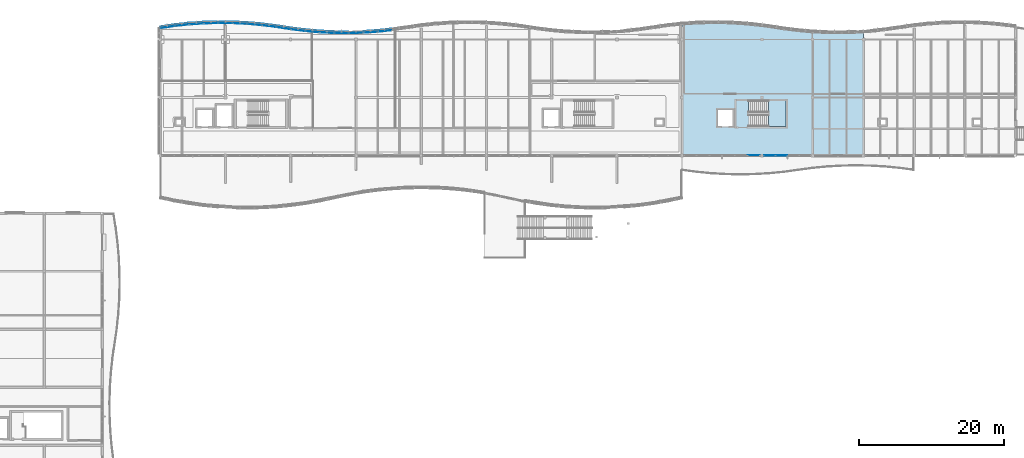
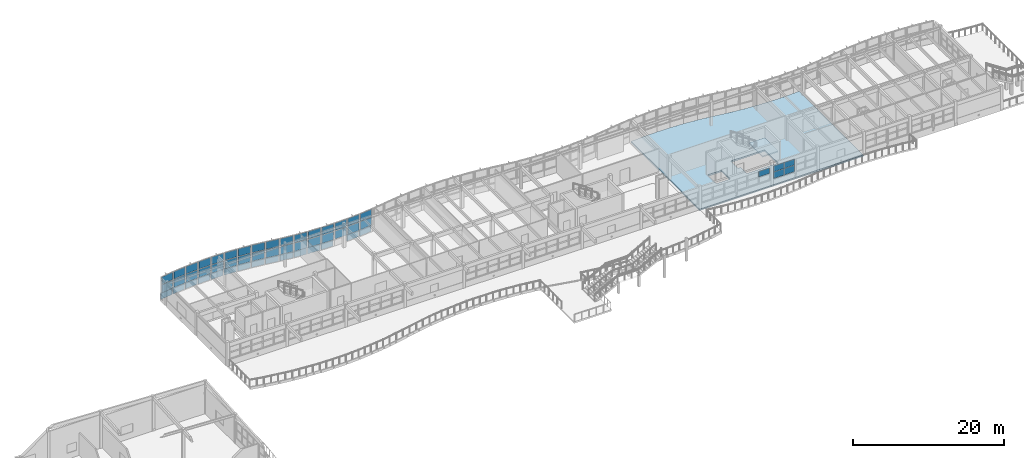
# One storey, part 24 of 52: 52 plates, 2 slabs, 19 elements without a shape of their own.
"""IFC4 building model written with IfcOpenShell, lengths in metres."""

from ifc_helpers import new_model, si_unit, direction, frame, origin, origin_2d, place, context, subcontext, project, spatial, polyline, rectangle, outline, extrude, material, layer, layer_set, type_object, element, aggregate, save


model = new_model("IFC4")

# Units and contexts
model_context = context("Model", 3, precision=1e-05, world=origin(), true_north=direction((0.0, 1.0)))
body_context = subcontext(model_context, "Body", "Model", "MODEL_VIEW")
ifc_project = project(units=[si_unit("LENGTHUNIT", "METRE"), si_unit("AREAUNIT", "SQUARE_METRE"), si_unit("VOLUMEUNIT", "CUBIC_METRE"), si_unit("PLANEANGLEUNIT", "RADIAN"), si_unit("MASSUNIT", "GRAM", prefix="KILO")], contexts=[model_context])

# Site, building, storey
site_placement = place(None, origin())
site = spatial("IfcSite", under=ifc_project, at=site_placement, CompositionType="ELEMENT")
building_placement = place(site_placement, origin())
building = spatial("IfcBuilding", under=site, at=building_placement, Name="Tonlespit Floodbar School", CompositionType="ELEMENT")
storey_placement = place(building_placement, frame((0.0, 0.0, 12.300048828125)))
storey = spatial("IfcBuildingStorey", under=building, at=storey_placement, Name="L03", CompositionType="ELEMENT", Elevation=12.300048828125)

# Curtain wall, plates
ifc_material_1 = material(Name="Anodised Aluminium", Category="aluminium")
ifc_layer_1 = layer(ifc_material_1, 0.159912109375)
ifc_layer_set_1 = layer_set([ifc_layer_1], Name="Anodised Aluminium")
curtain_wall_type_1 = type_object("IfcCurtainWallType", Name="CurtainWall_1950x2700", PredefinedType="NOTDEFINED", material=ifc_layer_set_1)
curtain_wall_1_placement = place(storey_placement, origin())
curtain_wall_1 = element("IfcCurtainWall", 1, at=curtain_wall_1_placement, inside=storey, type_object=curtain_wall_type_1, Name="L03 unitised curtain wall 0125", PredefinedType="NOTDEFINED")
ifc_material_2 = material(Name="Laminated Low-E Glass", Category="glass")
ifc_layer_2 = layer(ifc_material_2, 0.028076171875)
ifc_layer_set_2 = layer_set([ifc_layer_2], Name="Laminated Low-E Glass")
plate_type_1 = type_object("IfcPlateType", Name="CW_Panel_Glaz_28", PredefinedType="CURTAIN_PANEL", material=ifc_layer_set_2)
plate_1_placement = place(storey_placement, frame((47.0, 121.947998046875, 1.01513671875), z_axis=(0.0, 0.0, 1.0), x_axis=(0.994388797288, 0.105787143968, 0.0)))
plate_1 = element("IfcPlate", 2, at=plate_1_placement, type_object=plate_type_1, Name="CW-04 panel 1.1", PredefinedType="CURTAIN_PANEL", context=body_context, shape_type="SweptSolid", body=[
    extrude(rectangle(XDim=1.80126953125, YDim=0.028076171875, at=origin_2d()), origin(), (0.0, 0.0, 1.0), 1.306396484375),
])
plate_2_placement = place(storey_placement, frame((47.0, 121.947998046875, 2.38623046875), z_axis=(0.0, 0.0, 1.0), x_axis=(0.994388797288, 0.105787143968, 0.0)))
plate_2 = element("IfcPlate", 3, at=plate_2_placement, type_object=plate_type_1, Name="CW-04 panel 1.2", PredefinedType="CURTAIN_PANEL", context=body_context, shape_type="SweptSolid", body=[
    extrude(rectangle(XDim=1.80126953125, YDim=0.028076171875, at=origin_2d()), origin(), (0.0, 0.0, 1.0), 1.198486328125),
])
aggregate(curtain_wall_1, [plate_1, plate_2])

ifc_layer_3 = layer(ifc_material_1, 0.159912109375)
ifc_layer_set_3 = layer_set([ifc_layer_3], Name="Anodised Aluminium")
curtain_wall_type_2 = type_object("IfcCurtainWallType", Name="CurtainWall_1900x2700", PredefinedType="NOTDEFINED", material=ifc_layer_set_3)
curtain_wall_2_placement = place(storey_placement, origin())
curtain_wall_2 = element("IfcCurtainWall", 4, at=curtain_wall_2_placement, inside=storey, type_object=curtain_wall_type_2, Name="L03 unitised curtain wall 0129", PredefinedType="NOTDEFINED")
plate_3_placement = place(storey_placement, frame((55.0, 122.1796875, 1.01513671875), z_axis=(0.0, 0.0, 1.0), x_axis=(0.998841500616, -0.048121270216, 0.0)))
plate_3 = element("IfcPlate", 5, at=plate_3_placement, type_object=plate_type_1, Name="CW-05 panel 1.1", PredefinedType="CURTAIN_PANEL", context=body_context, shape_type="SweptSolid", body=[
    extrude(rectangle(XDim=1.792236328125, YDim=0.028076171875, at=origin_2d()), origin(), (0.0, 0.0, 1.0), 1.306396484375),
])
plate_4_placement = place(storey_placement, frame((55.0, 122.1796875, 2.38623046875), z_axis=(0.0, 0.0, 1.0), x_axis=(0.998841500616, -0.048121270216, 0.0)))
plate_4 = element("IfcPlate", 6, at=plate_4_placement, type_object=plate_type_1, Name="CW-05 panel 1.2", PredefinedType="CURTAIN_PANEL", context=body_context, shape_type="SweptSolid", body=[
    extrude(rectangle(XDim=1.792236328125, YDim=0.028076171875, at=origin_2d()), origin(), (0.0, 0.0, 1.0), 1.198486328125),
])
aggregate(curtain_wall_2, [plate_3, plate_4])

curtain_wall_3_placement = place(storey_placement, origin())
curtain_wall_3 = element("IfcCurtainWall", 7, at=curtain_wall_3_placement, inside=storey, type_object=curtain_wall_type_1, Name="L03 unitised curtain wall 0133", PredefinedType="NOTDEFINED")
plate_5_placement = place(storey_placement, frame((63.0, 121.268310546875, 1.01513671875), z_axis=(0.0, 0.0, 1.0), x_axis=(0.992155002499, -0.125013803299, 0.0)))
plate_5 = element("IfcPlate", 8, at=plate_5_placement, type_object=plate_type_1, Name="CW-04 panel 1.1", PredefinedType="CURTAIN_PANEL", context=body_context, shape_type="SweptSolid", body=[
    extrude(rectangle(XDim=1.805908203125, YDim=0.028076171875, at=origin_2d()), origin(), (0.0, 0.0, 1.0), 1.306396484375),
])
plate_6_placement = place(storey_placement, frame((63.0, 121.268310546875, 2.38623046875), z_axis=(0.0, 0.0, 1.0), x_axis=(0.992155002499, -0.125013803299, 0.0)))
plate_6 = element("IfcPlate", 9, at=plate_6_placement, type_object=plate_type_1, Name="CW-04 panel 1.2", PredefinedType="CURTAIN_PANEL", context=body_context, shape_type="SweptSolid", body=[
    extrude(rectangle(XDim=1.805908203125, YDim=0.028076171875, at=origin_2d()), origin(), (0.0, 0.0, 1.0), 1.198486328125),
])
aggregate(curtain_wall_3, [plate_5, plate_6])

curtain_wall_4_placement = place(storey_placement, origin())
curtain_wall_4 = element("IfcCurtainWall", 10, at=curtain_wall_4_placement, inside=storey, type_object=curtain_wall_type_2, Name="L03 unitised curtain wall 0137", PredefinedType="NOTDEFINED")
plate_7_placement = place(storey_placement, frame((71.0, 120.8818359375, 1.01513671875), z_axis=(0.0, 0.0, 1.0), x_axis=(0.999585477883, 0.028790144226, 0.0)))
plate_7 = element("IfcPlate", 11, at=plate_7_placement, type_object=plate_type_1, Name="CW-05 panel 1.1", PredefinedType="CURTAIN_PANEL", context=body_context, shape_type="SweptSolid", body=[
    extrude(rectangle(XDim=1.790771484375, YDim=0.028076171875, at=origin_2d()), origin(), (0.0, 0.0, 1.0), 1.306396484375),
])
plate_8_placement = place(storey_placement, frame((71.0, 120.8818359375, 2.38623046875), z_axis=(0.0, 0.0, 1.0), x_axis=(0.999585477883, 0.028790144226, 0.0)))
plate_8 = element("IfcPlate", 12, at=plate_8_placement, type_object=plate_type_1, Name="CW-05 panel 1.2", PredefinedType="CURTAIN_PANEL", context=body_context, shape_type="SweptSolid", body=[
    extrude(rectangle(XDim=1.790771484375, YDim=0.028076171875, at=origin_2d()), origin(), (0.0, 0.0, 1.0), 1.198486328125),
])
aggregate(curtain_wall_4, [plate_7, plate_8])

# Curtain wall, plate
ifc_layer_4 = layer(ifc_material_1, 0.159912109375)
ifc_layer_set_4 = layer_set([ifc_layer_4], Name="Anodised Aluminium")
curtain_wall_type_3 = type_object("IfcCurtainWallType", Name="CurtainWall_10500x2050", PredefinedType="NOTDEFINED", material=ifc_layer_set_4)
curtain_wall_5_placement = place(storey_placement, origin())
curtain_wall_5 = element("IfcCurtainWall", 13, at=curtain_wall_5_placement, inside=storey, type_object=curtain_wall_type_3, Name="L03 unitised curtain wall 0473", PredefinedType="NOTDEFINED")
plate_9_placement = place(storey_placement, frame((125.8671875, 104.0, 2.05126953125), z_axis=(0.0, 0.0, 1.0), x_axis=(-1.0, 0.0, 0.0)))
plate_9 = element("IfcPlate", 14, at=plate_9_placement, type_object=plate_type_1, Name="CW-68 panel 1.2", PredefinedType="CURTAIN_PANEL", context=body_context, shape_type="SweptSolid", body=[
    extrude(rectangle(XDim=1.65576171875, YDim=0.028076171875, at=origin_2d()), origin(), (0.0, 0.0, 1.0), 0.888916015625),
])
aggregate(curtain_wall_5, [plate_9])

# Curtain wall, plates
curtain_wall_6_placement = place(storey_placement, origin())
curtain_wall_6 = element("IfcCurtainWall", 15, at=curtain_wall_6_placement, inside=storey, type_object=curtain_wall_type_2, Name="L03 unitised curtain wall 0126", PredefinedType="NOTDEFINED")
ifc_layer_5 = layer(ifc_material_2, 0.031982421875)
ifc_layer_set_5 = layer_set([ifc_layer_5], Name="Laminated Low-E Glass")
plate_type_2 = type_object("IfcPlateType", Name="CW_Panel_Glaz_32", PredefinedType="CURTAIN_PANEL", material=ifc_layer_set_5)
plate_10_placement = place(storey_placement, frame((49.0, 122.121826171875, 1.01513671875), z_axis=(0.0, 0.0, 1.0), x_axis=(0.99773010165, 0.067339767311, 0.0)))
plate_10 = element("IfcPlate", 16, at=plate_10_placement, type_object=plate_type_2, Name="CW-05 panel 1.1", PredefinedType="CURTAIN_PANEL", context=body_context, shape_type="SweptSolid", body=[
    extrude(rectangle(XDim=1.794677734375, YDim=0.031982421875, at=origin_2d()), origin(), (0.0, 0.0, 1.0), 1.306396484375),
])
plate_11_placement = place(storey_placement, frame((49.0, 122.121826171875, 2.38623046875), z_axis=(0.0, 0.0, 1.0), x_axis=(0.99773010165, 0.067339767311, 0.0)))
plate_11 = element("IfcPlate", 17, at=plate_11_placement, type_object=plate_type_2, Name="CW-05 panel 1.2", PredefinedType="CURTAIN_PANEL", context=body_context, shape_type="SweptSolid", body=[
    extrude(rectangle(XDim=1.794677734375, YDim=0.031982421875, at=origin_2d()), origin(), (0.0, 0.0, 1.0), 1.198486328125),
])
aggregate(curtain_wall_6, [plate_10, plate_11])

curtain_wall_7_placement = place(storey_placement, origin())
curtain_wall_7 = element("IfcCurtainWall", 18, at=curtain_wall_7_placement, inside=storey, type_object=curtain_wall_type_1, Name="L03 unitised curtain wall 0130", PredefinedType="NOTDEFINED")
plate_12_placement = place(storey_placement, frame((57.0, 122.044677734375, 1.01513671875), z_axis=(0.0, 0.0, 1.0), x_axis=(0.996249148412, -0.086531117454, 0.0)))
plate_12 = element("IfcPlate", 19, at=plate_12_placement, type_object=plate_type_2, Name="CW-04 panel 1.1", PredefinedType="CURTAIN_PANEL", context=body_context, shape_type="SweptSolid", body=[
    extrude(rectangle(XDim=1.797607421875, YDim=0.031982421875, at=origin_2d()), origin(), (0.0, 0.0, 1.0), 1.306396484375),
])
plate_13_placement = place(storey_placement, frame((57.0, 122.044677734375, 2.38623046875), z_axis=(0.0, 0.0, 1.0), x_axis=(0.996249148412, -0.086531117454, 0.0)))
plate_13 = element("IfcPlate", 20, at=plate_13_placement, type_object=plate_type_2, Name="CW-04 panel 1.2", PredefinedType="CURTAIN_PANEL", context=body_context, shape_type="SweptSolid", body=[
    extrude(rectangle(XDim=1.797607421875, YDim=0.031982421875, at=origin_2d()), origin(), (0.0, 0.0, 1.0), 1.198486328125),
])
aggregate(curtain_wall_7, [plate_12, plate_13])

curtain_wall_8_placement = place(storey_placement, origin())
curtain_wall_8 = element("IfcCurtainWall", 21, at=curtain_wall_8_placement, inside=storey, type_object=curtain_wall_type_1, Name="L03 unitised curtain wall 0134", PredefinedType="NOTDEFINED")
plate_14_placement = place(storey_placement, frame((65.0, 121.055419921875, 1.01513671875), z_axis=(0.0, 0.0, 1.0), x_axis=(0.996249148412, -0.086531117454, 0.0)))
plate_14 = element("IfcPlate", 22, at=plate_14_placement, type_object=plate_type_2, Name="CW-04 panel 1.1", PredefinedType="CURTAIN_PANEL", context=body_context, shape_type="SweptSolid", body=[
    extrude(rectangle(XDim=1.797607421875, YDim=0.031982421875, at=origin_2d()), origin(), (0.0, 0.0, 1.0), 1.306396484375),
])
plate_15_placement = place(storey_placement, frame((65.0, 121.055419921875, 2.38623046875), z_axis=(0.0, 0.0, 1.0), x_axis=(0.996249148412, -0.086531117454, 0.0)))
plate_15 = element("IfcPlate", 23, at=plate_15_placement, type_object=plate_type_2, Name="CW-04 panel 1.2", PredefinedType="CURTAIN_PANEL", context=body_context, shape_type="SweptSolid", body=[
    extrude(rectangle(XDim=1.797607421875, YDim=0.031982421875, at=origin_2d()), origin(), (0.0, 0.0, 1.0), 1.198486328125),
])
aggregate(curtain_wall_8, [plate_14, plate_15])

curtain_wall_9_placement = place(storey_placement, origin())
curtain_wall_9 = element("IfcCurtainWall", 24, at=curtain_wall_9_placement, inside=storey, type_object=curtain_wall_type_2, Name="L03 unitised curtain wall 0138", PredefinedType="NOTDEFINED")
plate_16_placement = place(storey_placement, frame((73.0, 120.978271484375, 1.01513671875), z_axis=(0.0, 0.0, 1.0), x_axis=(0.99773010165, 0.067339767311, 0.0)))
plate_16 = element("IfcPlate", 25, at=plate_16_placement, type_object=plate_type_2, Name="CW-05 panel 1.1", PredefinedType="CURTAIN_PANEL", context=body_context, shape_type="SweptSolid", body=[
    extrude(rectangle(XDim=1.794677734375, YDim=0.031982421875, at=origin_2d()), origin(), (0.0, 0.0, 1.0), 1.306396484375),
])
plate_17_placement = place(storey_placement, frame((73.0, 120.978271484375, 2.38623046875), z_axis=(0.0, 0.0, 1.0), x_axis=(0.99773010165, 0.067339767311, 0.0)))
plate_17 = element("IfcPlate", 26, at=plate_17_placement, type_object=plate_type_2, Name="CW-05 panel 1.2", PredefinedType="CURTAIN_PANEL", context=body_context, shape_type="SweptSolid", body=[
    extrude(rectangle(XDim=1.794677734375, YDim=0.031982421875, at=origin_2d()), origin(), (0.0, 0.0, 1.0), 1.198486328125),
])
aggregate(curtain_wall_9, [plate_16, plate_17])

curtain_wall_10_placement = place(storey_placement, origin())
curtain_wall_10 = element("IfcCurtainWall", 27, at=curtain_wall_10_placement, inside=storey, type_object=curtain_wall_type_2, Name="L03 unitised curtain wall 0127", PredefinedType="NOTDEFINED")
ifc_layer_6 = layer(ifc_material_2, 0.035888671875)
ifc_layer_set_6 = layer_set([ifc_layer_6], Name="Laminated Low-E Glass")
plate_type_3 = type_object("IfcPlateType", Name="CW_Panel_Glaz_36", PredefinedType="CURTAIN_PANEL", material=ifc_layer_set_6)
plate_18_placement = place(storey_placement, frame((51.0, 122.21826171875, 1.01513671875), z_axis=(0.0, 0.0, 1.0), x_axis=(0.999585477883, 0.028790144226, 0.0)))
plate_18 = element("IfcPlate", 28, at=plate_18_placement, type_object=plate_type_3, Name="CW-05 panel 1.1", PredefinedType="CURTAIN_PANEL", context=body_context, shape_type="SweptSolid", body=[
    extrude(rectangle(XDim=1.790771484375, YDim=0.035888671875, at=origin_2d()), origin(), (0.0, 0.0, 1.0), 1.306396484375),
])
plate_19_placement = place(storey_placement, frame((51.0, 122.21826171875, 2.38623046875), z_axis=(0.0, 0.0, 1.0), x_axis=(0.999585477883, 0.028790144226, 0.0)))
plate_19 = element("IfcPlate", 29, at=plate_19_placement, type_object=plate_type_3, Name="CW-05 panel 1.2", PredefinedType="CURTAIN_PANEL", context=body_context, shape_type="SweptSolid", body=[
    extrude(rectangle(XDim=1.790771484375, YDim=0.035888671875, at=origin_2d()), origin(), (0.0, 0.0, 1.0), 1.198486328125),
])
aggregate(curtain_wall_10, [plate_18, plate_19])

curtain_wall_11_placement = place(storey_placement, origin())
curtain_wall_11 = element("IfcCurtainWall", 30, at=curtain_wall_11_placement, inside=storey, type_object=curtain_wall_type_1, Name="L03 unitised curtain wall 0131", PredefinedType="NOTDEFINED")
plate_20_placement = place(storey_placement, frame((59.0, 121.831787109375, 1.01513671875), z_axis=(0.0, 0.0, 1.0), x_axis=(0.992155002499, -0.125013803299, 0.0)))
plate_20 = element("IfcPlate", 31, at=plate_20_placement, type_object=plate_type_3, Name="CW-04 panel 1.1", PredefinedType="CURTAIN_PANEL", context=body_context, shape_type="SweptSolid", body=[
    extrude(rectangle(XDim=1.805908203125, YDim=0.035888671875, at=origin_2d()), origin(), (0.0, 0.0, 1.0), 1.306396484375),
])
plate_21_placement = place(storey_placement, frame((59.0, 121.831787109375, 2.38623046875), z_axis=(0.0, 0.0, 1.0), x_axis=(0.992155002499, -0.125013803299, 0.0)))
plate_21 = element("IfcPlate", 32, at=plate_21_placement, type_object=plate_type_3, Name="CW-04 panel 1.2", PredefinedType="CURTAIN_PANEL", context=body_context, shape_type="SweptSolid", body=[
    extrude(rectangle(XDim=1.805908203125, YDim=0.035888671875, at=origin_2d()), origin(), (0.0, 0.0, 1.0), 1.198486328125),
])
aggregate(curtain_wall_11, [plate_20, plate_21])

curtain_wall_12_placement = place(storey_placement, origin())
curtain_wall_12 = element("IfcCurtainWall", 33, at=curtain_wall_12_placement, inside=storey, type_object=curtain_wall_type_2, Name="L03 unitised curtain wall 0135", PredefinedType="NOTDEFINED")
plate_22_placement = place(storey_placement, frame((67.0, 120.92041015625, 1.01513671875), z_axis=(0.0, 0.0, 1.0), x_axis=(0.998841500616, -0.048121270216, 0.0)))
plate_22 = element("IfcPlate", 34, at=plate_22_placement, type_object=plate_type_3, Name="CW-05 panel 1.1", PredefinedType="CURTAIN_PANEL", context=body_context, shape_type="SweptSolid", body=[
    extrude(rectangle(XDim=1.792236328125, YDim=0.035888671875, at=origin_2d()), origin(), (0.0, 0.0, 1.0), 1.306396484375),
])
plate_23_placement = place(storey_placement, frame((67.0, 120.92041015625, 2.38623046875), z_axis=(0.0, 0.0, 1.0), x_axis=(0.998841500616, -0.048121270216, 0.0)))
plate_23 = element("IfcPlate", 35, at=plate_23_placement, type_object=plate_type_3, Name="CW-05 panel 1.2", PredefinedType="CURTAIN_PANEL", context=body_context, shape_type="SweptSolid", body=[
    extrude(rectangle(XDim=1.792236328125, YDim=0.035888671875, at=origin_2d()), origin(), (0.0, 0.0, 1.0), 1.198486328125),
])
aggregate(curtain_wall_12, [plate_22, plate_23])

curtain_wall_13_placement = place(storey_placement, origin())
curtain_wall_13 = element("IfcCurtainWall", 36, at=curtain_wall_13_placement, inside=storey, type_object=curtain_wall_type_1, Name="L03 unitised curtain wall 0139", PredefinedType="NOTDEFINED")
plate_24_placement = place(storey_placement, frame((75.0, 121.152099609375, 1.01513671875), z_axis=(0.0, 0.0, 1.0), x_axis=(0.994388797288, 0.105787143968, 0.0)))
plate_24 = element("IfcPlate", 37, at=plate_24_placement, type_object=plate_type_3, Name="CW-04 panel 1.1", PredefinedType="CURTAIN_PANEL", context=body_context, shape_type="SweptSolid", body=[
    extrude(rectangle(XDim=1.80126953125, YDim=0.035888671875, at=origin_2d()), origin(), (0.0, 0.0, 1.0), 1.306396484375),
])
plate_25_placement = place(storey_placement, frame((75.0, 121.152099609375, 2.38623046875), z_axis=(0.0, 0.0, 1.0), x_axis=(0.994388797288, 0.105787143968, 0.0)))
plate_25 = element("IfcPlate", 38, at=plate_25_placement, type_object=plate_type_3, Name="CW-04 panel 1.2", PredefinedType="CURTAIN_PANEL", context=body_context, shape_type="SweptSolid", body=[
    extrude(rectangle(XDim=1.80126953125, YDim=0.035888671875, at=origin_2d()), origin(), (0.0, 0.0, 1.0), 1.198486328125),
])
aggregate(curtain_wall_13, [plate_24, plate_25])

curtain_wall_14_placement = place(storey_placement, origin())
curtain_wall_14 = element("IfcCurtainWall", 39, at=curtain_wall_14_placement, inside=storey, type_object=curtain_wall_type_1, Name="L03 unitised curtain wall 0124", PredefinedType="NOTDEFINED")
ifc_layer_7 = layer(ifc_material_2, 0.0419921875)
ifc_layer_set_7 = layer_set([ifc_layer_7], Name="Laminated Low-E Glass")
plate_type_4 = type_object("IfcPlateType", Name="CW_Panel_Glaz_42", PredefinedType="CURTAIN_PANEL", material=ifc_layer_set_7)
plate_26_placement = place(storey_placement, frame((45.0, 121.69580078125, 1.01513671875), z_axis=(0.0, 0.0, 1.0), x_axis=(0.989541561858, 0.144248041079, 0.0)))
plate_26 = element("IfcPlate", 40, at=plate_26_placement, type_object=plate_type_4, Name="CW-04 panel 1.1", PredefinedType="CURTAIN_PANEL", context=body_context, shape_type="SweptSolid", body=[
    extrude(rectangle(XDim=1.81103515625, YDim=0.0419921875, at=origin_2d()), origin(), (0.0, 0.0, 1.0), 1.306396484375),
])
plate_27_placement = place(storey_placement, frame((45.0, 121.69580078125, 2.38623046875), z_axis=(0.0, 0.0, 1.0), x_axis=(0.989541561858, 0.144248041079, 0.0)))
plate_27 = element("IfcPlate", 41, at=plate_27_placement, type_object=plate_type_4, Name="CW-04 panel 1.2", PredefinedType="CURTAIN_PANEL", context=body_context, shape_type="SweptSolid", body=[
    extrude(rectangle(XDim=1.81103515625, YDim=0.0419921875, at=origin_2d()), origin(), (0.0, 0.0, 1.0), 1.198486328125),
])
aggregate(curtain_wall_14, [plate_26, plate_27])

curtain_wall_15_placement = place(storey_placement, origin())
curtain_wall_15 = element("IfcCurtainWall", 42, at=curtain_wall_15_placement, inside=storey, type_object=curtain_wall_type_2, Name="L03 unitised curtain wall 0128", PredefinedType="NOTDEFINED")
plate_28_placement = place(storey_placement, frame((53.0, 122.2373046875, 1.01513671875), z_axis=(0.0, 0.0, 1.0), x_axis=(0.999954083024, -0.009582893292, 0.0)))
plate_28 = element("IfcPlate", 43, at=plate_28_placement, type_object=plate_type_4, Name="CW-05 panel 1.1", PredefinedType="CURTAIN_PANEL", context=body_context, shape_type="SweptSolid", body=[
    extrude(rectangle(XDim=1.7900390625, YDim=0.0419921875, at=origin_2d()), origin(), (0.0, 0.0, 1.0), 1.306396484375),
])
plate_29_placement = place(storey_placement, frame((53.0, 122.2373046875, 2.38623046875), z_axis=(0.0, 0.0, 1.0), x_axis=(0.999954083024, -0.009582893292, 0.0)))
plate_29 = element("IfcPlate", 44, at=plate_29_placement, type_object=plate_type_4, Name="CW-05 panel 1.2", PredefinedType="CURTAIN_PANEL", context=body_context, shape_type="SweptSolid", body=[
    extrude(rectangle(XDim=1.7900390625, YDim=0.0419921875, at=origin_2d()), origin(), (0.0, 0.0, 1.0), 1.198486328125),
])
aggregate(curtain_wall_15, [plate_28, plate_29])

curtain_wall_16_placement = place(storey_placement, origin())
curtain_wall_16 = element("IfcCurtainWall", 45, at=curtain_wall_16_placement, inside=storey, type_object=curtain_wall_type_1, Name="L03 unitised curtain wall 0132", PredefinedType="NOTDEFINED")
plate_30_placement = place(storey_placement, frame((61.0, 121.550048828125, 1.01513671875), z_axis=(0.0, 0.0, 1.0), x_axis=(0.988102576465, -0.153796288585, 0.0)))
plate_30 = element("IfcPlate", 46, at=plate_30_placement, type_object=plate_type_4, Name="CW-04 panel 1.1", PredefinedType="CURTAIN_PANEL", context=body_context, shape_type="SweptSolid", body=[
    extrude(rectangle(XDim=1.814208984375, YDim=0.0419921875, at=origin_2d()), origin(), (0.0, 0.0, 1.0), 1.306396484375),
])
plate_31_placement = place(storey_placement, frame((61.0, 121.550048828125, 2.38623046875), z_axis=(0.0, 0.0, 1.0), x_axis=(0.988102576465, -0.153796288585, 0.0)))
plate_31 = element("IfcPlate", 47, at=plate_31_placement, type_object=plate_type_4, Name="CW-04 panel 1.2", PredefinedType="CURTAIN_PANEL", context=body_context, shape_type="SweptSolid", body=[
    extrude(rectangle(XDim=1.814208984375, YDim=0.0419921875, at=origin_2d()), origin(), (0.0, 0.0, 1.0), 1.198486328125),
])
aggregate(curtain_wall_16, [plate_30, plate_31])

curtain_wall_17_placement = place(storey_placement, origin())
curtain_wall_17 = element("IfcCurtainWall", 48, at=curtain_wall_17_placement, inside=storey, type_object=curtain_wall_type_2, Name="L03 unitised curtain wall 0136", PredefinedType="NOTDEFINED")
plate_32_placement = place(storey_placement, frame((69.0, 120.862548828125, 1.01513671875), z_axis=(0.0, 0.0, 1.0), x_axis=(0.999954083024, -0.009582893292, 0.0)))
plate_32 = element("IfcPlate", 49, at=plate_32_placement, type_object=plate_type_4, Name="CW-05 panel 1.1", PredefinedType="CURTAIN_PANEL", context=body_context, shape_type="SweptSolid", body=[
    extrude(rectangle(XDim=1.7900390625, YDim=0.0419921875, at=origin_2d()), origin(), (0.0, 0.0, 1.0), 1.306396484375),
])
plate_33_placement = place(storey_placement, frame((69.0, 120.862548828125, 2.38623046875), z_axis=(0.0, 0.0, 1.0), x_axis=(0.999954083024, -0.009582893292, 0.0)))
plate_33 = element("IfcPlate", 50, at=plate_33_placement, type_object=plate_type_4, Name="CW-05 panel 1.2", PredefinedType="CURTAIN_PANEL", context=body_context, shape_type="SweptSolid", body=[
    extrude(rectangle(XDim=1.7900390625, YDim=0.0419921875, at=origin_2d()), origin(), (0.0, 0.0, 1.0), 1.198486328125),
])
aggregate(curtain_wall_17, [plate_32, plate_33])

ifc_layer_8 = layer(ifc_material_1, 0.159912109375)
ifc_layer_set_8 = layer_set([ifc_layer_8], Name="Anodised Aluminium")
curtain_wall_type_4 = type_object("IfcCurtainWallType", Name="CurtainWall_6500x2150", PredefinedType="NOTDEFINED", material=ifc_layer_set_8)
curtain_wall_18_placement = place(storey_placement, origin())
curtain_wall_18 = element("IfcCurtainWall", 51, at=curtain_wall_18_placement, inside=storey, type_object=curtain_wall_type_4, Name="L03 unitised curtain wall 0472", PredefinedType="NOTDEFINED")
plate_34_placement = place(storey_placement, frame((129.68505859375, 104.0, 1.014892578125), z_axis=(0.0, 0.0, 1.0), x_axis=(-1.0, 0.0, 0.0)))
plate_34 = element("IfcPlate", 52, at=plate_34_placement, type_object=plate_type_4, Name="CW-67 panel 3.1", PredefinedType="CURTAIN_PANEL", context=body_context, shape_type="SweptSolid", body=[
    extrude(rectangle(XDim=1.56494140625, YDim=0.0419921875, at=origin_2d()), origin(), (0.0, 0.0, 1.0), 1.0126953125),
])
plate_35_placement = place(storey_placement, frame((129.68505859375, 104.0, 2.0927734375), z_axis=(0.0, 0.0, 1.0), x_axis=(-1.0, 0.0, 0.0)))
plate_35 = element("IfcPlate", 53, at=plate_35_placement, type_object=plate_type_4, Name="CW-67 panel 3.2", PredefinedType="CURTAIN_PANEL", context=body_context, shape_type="SweptSolid", body=[
    extrude(rectangle(XDim=1.56494140625, YDim=0.0419921875, at=origin_2d()), origin(), (0.0, 0.0, 1.0), 0.92724609375),
])
plate_36_placement = place(storey_placement, frame((128.0712890625, 104.0, 1.014892578125), z_axis=(0.0, 0.0, 1.0), x_axis=(-1.0, 0.0, 0.0)))
plate_36 = element("IfcPlate", 54, at=plate_36_placement, type_object=plate_type_4, Name="CW-67 panel 4.1", PredefinedType="CURTAIN_PANEL", context=body_context, shape_type="SweptSolid", body=[
    extrude(rectangle(XDim=1.532470703125, YDim=0.0419921875, at=origin_2d()), origin(), (0.0, 0.0, 1.0), 1.0126953125),
])
plate_37_placement = place(storey_placement, frame((128.0712890625, 104.0, 2.0927734375), z_axis=(0.0, 0.0, 1.0), x_axis=(-1.0, 0.0, 0.0)))
plate_37 = element("IfcPlate", 55, at=plate_37_placement, type_object=plate_type_4, Name="CW-67 panel 4.2", PredefinedType="CURTAIN_PANEL", context=body_context, shape_type="SweptSolid", body=[
    extrude(rectangle(XDim=1.532470703125, YDim=0.0419921875, at=origin_2d()), origin(), (0.0, 0.0, 1.0), 0.92724609375),
])
aggregate(curtain_wall_18, [plate_34, plate_35, plate_36, plate_37])

# Plates
ifc_material_3 = material(Name="White Architectural Aluminium", Category="aluminium")
ifc_layer_9 = layer(ifc_material_3, 0.06494140625)
ifc_layer_set_9 = layer_set([ifc_layer_9], Name="White Architectural Aluminium")
plate_type_5 = type_object("IfcPlateType", Name="FacadeRibbon_White_65", PredefinedType="SHEET", material=ifc_layer_set_9)
plate_38_placement = place(storey_placement, frame((44.9736328125, 121.8759765625, -0.1201171875), z_axis=(0.0, 0.0, 1.0), x_axis=(0.989537627347, 0.144275029245, 0.0)))
element("IfcPlate", 56, at=plate_38_placement, inside=storey, type_object=plate_type_5, Name="L03 flowing white street spandrel ribbon 0214", PredefinedType="SHEET", context=body_context, shape_type="SweptSolid", body=[
    extrude(rectangle(XDim=1.861083984375, YDim=0.06494140625, at=origin_2d()), origin(), (0.0, 0.0, 1.0), 1.070068359375),
])
plate_39_placement = place(storey_placement, frame((46.980712890625, 122.12890625, -0.1201171875), z_axis=(0.0, 0.0, 1.0), x_axis=(0.99439234017, 0.105753835922, 0.0)))
element("IfcPlate", 57, at=plate_39_placement, inside=storey, type_object=plate_type_5, Name="L03 flowing white street spandrel ribbon 0215", PredefinedType="SHEET", context=body_context, shape_type="SweptSolid", body=[
    extrude(rectangle(XDim=1.851318359375, YDim=0.06494140625, at=origin_2d()), origin(), (0.0, 0.0, 1.0), 1.070068359375),
])
plate_40_placement = place(storey_placement, frame((48.98779296875, 122.303466796875, -0.1201171875), z_axis=(0.0, 0.0, 1.0), x_axis=(0.997729639049, 0.067346621018, 0.0)))
element("IfcPlate", 58, at=plate_40_placement, inside=storey, type_object=plate_type_5, Name="L03 flowing white street spandrel ribbon 0216", PredefinedType="SHEET", context=body_context, shape_type="SweptSolid", body=[
    extrude(rectangle(XDim=1.844482421875, YDim=0.06494140625, at=origin_2d()), origin(), (0.0, 0.0, 1.0), 1.070068359375),
])
plate_41_placement = place(storey_placement, frame((50.994873046875, 122.400146484375, -0.1201171875), z_axis=(0.0, 0.0, 1.0), x_axis=(0.999584110869, 0.02883756748, 0.0)))
element("IfcPlate", 59, at=plate_41_placement, inside=storey, type_object=plate_type_5, Name="L03 flowing white street spandrel ribbon 0217", PredefinedType="SHEET", context=body_context, shape_type="SweptSolid", body=[
    extrude(rectangle(XDim=1.8408203125, YDim=0.06494140625, at=origin_2d()), origin(), (0.0, 0.0, 1.0), 1.070068359375),
])
plate_42_placement = place(storey_placement, frame((53.001708984375, 122.41943359375, -0.1201171875), z_axis=(0.0, 0.0, 1.0), x_axis=(0.999953926969, -0.009599163462, 0.0)))
element("IfcPlate", 60, at=plate_42_placement, inside=storey, type_object=plate_type_5, Name="L03 flowing white street spandrel ribbon 0218", PredefinedType="SHEET", context=body_context, shape_type="SweptSolid", body=[
    extrude(rectangle(XDim=1.840087890625, YDim=0.06494140625, at=origin_2d()), origin(), (0.0, 0.0, 1.0), 1.070068359375),
])
plate_43_placement = place(storey_placement, frame((55.0087890625, 122.361328125, -0.1201171875), z_axis=(0.0, 0.0, 1.0), x_axis=(0.998842769234, -0.048094930587, 0.0)))
element("IfcPlate", 61, at=plate_43_placement, inside=storey, type_object=plate_type_5, Name="L03 flowing white street spandrel ribbon 0219", PredefinedType="SHEET", context=body_context, shape_type="SweptSolid", body=[
    extrude(rectangle(XDim=1.84228515625, YDim=0.06494140625, at=origin_2d()), origin(), (0.0, 0.0, 1.0), 1.070068359375),
])
plate_44_placement = place(storey_placement, frame((57.015869140625, 122.225830078125, -0.1201171875), z_axis=(0.0, 0.0, 1.0), x_axis=(0.996245486492, -0.086573267488, 0.0)))
element("IfcPlate", 62, at=plate_44_placement, inside=storey, type_object=plate_type_5, Name="L03 flowing white street spandrel ribbon 0220", PredefinedType="SHEET", context=body_context, shape_type="SweptSolid", body=[
    extrude(rectangle(XDim=1.847412109375, YDim=0.06494140625, at=origin_2d()), origin(), (0.0, 0.0, 1.0), 1.070068359375),
])
plate_45_placement = place(storey_placement, frame((59.022705078125, 122.01220703125, -0.1201171875), z_axis=(0.0, 0.0, 1.0), x_axis=(0.99215533612, -0.125011155539, 0.0)))
element("IfcPlate", 63, at=plate_45_placement, inside=storey, type_object=plate_type_5, Name="L03 flowing white street spandrel ribbon 0221", PredefinedType="SHEET", context=body_context, shape_type="SweptSolid", body=[
    extrude(rectangle(XDim=1.855712890625, YDim=0.06494140625, at=origin_2d()), origin(), (0.0, 0.0, 1.0), 1.070068359375),
])
plate_46_placement = place(storey_placement, frame((61.028076171875, 121.729736328125, -0.1201171875), z_axis=(0.0, 0.0, 1.0), x_axis=(0.988094768361, -0.153846445322, 0.0)))
element("IfcPlate", 64, at=plate_46_placement, inside=storey, type_object=plate_type_5, Name="L03 flowing white street spandrel ribbon 0222", PredefinedType="SHEET", context=body_context, shape_type="SweptSolid", body=[
    extrude(rectangle(XDim=1.864013671875, YDim=0.06494140625, at=origin_2d()), origin(), (0.0, 0.0, 1.0), 1.070068359375),
])
plate_47_placement = place(storey_placement, frame((63.022705078125, 121.448974609375, -0.1201171875), z_axis=(0.0, 0.0, 1.0), x_axis=(0.99215533612, -0.125011155539, 0.0)))
element("IfcPlate", 65, at=plate_47_placement, inside=storey, type_object=plate_type_5, Name="L03 flowing white street spandrel ribbon 0223", PredefinedType="SHEET", context=body_context, shape_type="SweptSolid", body=[
    extrude(rectangle(XDim=1.855712890625, YDim=0.06494140625, at=origin_2d()), origin(), (0.0, 0.0, 1.0), 1.070068359375),
])
plate_48_placement = place(storey_placement, frame((65.015869140625, 121.23681640625, -0.1201171875), z_axis=(0.0, 0.0, 1.0), x_axis=(0.996245486492, -0.086573267488, 0.0)))
element("IfcPlate", 66, at=plate_48_placement, inside=storey, type_object=plate_type_5, Name="L03 flowing white street spandrel ribbon 0224", PredefinedType="SHEET", context=body_context, shape_type="SweptSolid", body=[
    extrude(rectangle(XDim=1.847412109375, YDim=0.06494140625, at=origin_2d()), origin(), (0.0, 0.0, 1.0), 1.070068359375),
])
plate_49_placement = place(storey_placement, frame((67.0087890625, 121.10205078125, -0.1201171875), z_axis=(0.0, 0.0, 1.0), x_axis=(0.998842769234, -0.048094930587, 0.0)))
element("IfcPlate", 67, at=plate_49_placement, inside=storey, type_object=plate_type_5, Name="L03 flowing white street spandrel ribbon 0225", PredefinedType="SHEET", context=body_context, shape_type="SweptSolid", body=[
    extrude(rectangle(XDim=1.84228515625, YDim=0.06494140625, at=origin_2d()), origin(), (0.0, 0.0, 1.0), 1.070068359375),
])
plate_50_placement = place(storey_placement, frame((69.001708984375, 121.044677734375, -0.1201171875), z_axis=(0.0, 0.0, 1.0), x_axis=(0.999953926969, -0.009599163462, 0.0)))
element("IfcPlate", 68, at=plate_50_placement, inside=storey, type_object=plate_type_5, Name="L03 flowing white street spandrel ribbon 0226", PredefinedType="SHEET", context=body_context, shape_type="SweptSolid", body=[
    extrude(rectangle(XDim=1.840087890625, YDim=0.06494140625, at=origin_2d()), origin(), (0.0, 0.0, 1.0), 1.070068359375),
])
plate_51_placement = place(storey_placement, frame((72.98779296875, 121.159912109375, -0.1201171875), z_axis=(0.0, 0.0, 1.0), x_axis=(0.997729639049, 0.067346621018, 0.0)))
element("IfcPlate", 69, at=plate_51_placement, inside=storey, type_object=plate_type_5, Name="L03 flowing white street spandrel ribbon 0228", PredefinedType="SHEET", context=body_context, shape_type="SweptSolid", body=[
    extrude(rectangle(XDim=1.844482421875, YDim=0.06494140625, at=origin_2d()), origin(), (0.0, 0.0, 1.0), 1.070068359375),
])
plate_52_placement = place(storey_placement, frame((74.980712890625, 121.3330078125, -0.1201171875), z_axis=(0.0, 0.0, 1.0), x_axis=(0.99439234017, 0.105753835922, 0.0)))
element("IfcPlate", 70, at=plate_52_placement, inside=storey, type_object=plate_type_5, Name="L03 flowing white street spandrel ribbon 0229", PredefinedType="SHEET", context=body_context, shape_type="SweptSolid", body=[
    extrude(rectangle(XDim=1.851318359375, YDim=0.06494140625, at=origin_2d()), origin(), (0.0, 0.0, 1.0), 1.070068359375),
])

# Stair, slab
ifc_material_4 = material(Name="Concrete C40/50", Category="concrete")
stair_type = type_object("IfcStairType", Name="Stair_Core_Upper", PredefinedType="HALF_TURN_STAIR", material=ifc_material_4)
stair_placement = place(storey_placement, origin())
stair = element("IfcStair", 71, at=stair_placement, inside=storey, type_object=stair_type, Name="L03 Core C4 escape stair", PredefinedType="HALF_TURN_STAIR")
ifc_layer_10 = layer(ifc_material_4, 0.199951171875)
ifc_layer_set_10 = layer_set([ifc_layer_10], Name="Concrete C40/50")
slab_type_1 = type_object("IfcSlabType", Name="Landing_Core_RC200", PredefinedType="LANDING", material=ifc_layer_set_10)
slab_1_placement = place(storey_placement, frame((0.0, 0.0, 1.75)))
slab_1 = element("IfcSlab", 72, at=slab_1_placement, type_object=slab_type_1, Name="ST-C4 landing 1", PredefinedType="LANDING", context=body_context, shape_type="SweptSolid", body=[
    extrude(outline(polyline([(127.919921875, 108.0), (130.300048828125, 108.0), (130.300048828125, 111.5400390625), (127.919921875, 111.5400390625), (127.919921875, 108.0)])), origin(), (0.0, 0.0, 1.0), 0.199951171875),
])
aggregate(stair, [slab_1])

# Slab
ifc_material_5 = material(Name="CLT C24", Category="wood")
ifc_layer_11 = layer(ifc_material_5, 0.2548828125)
ifc_layer_set_11 = layer_set([ifc_layer_11], Name="CLT C24")
slab_type_2 = type_object("IfcSlabType", Name="Slab_Floor_CLT_220", PredefinedType="FLOOR", material=ifc_layer_set_11)
slab_2_placement = place(storey_placement, frame((0.0, 0.0, -0.255126953125)))
element("IfcSlab", 73, at=slab_2_placement, inside=storey, type_object=slab_type_2, Name="L03 V4 L03 west library slab", PredefinedType="FLOOR", context=body_context, shape_type="SweptSolid", body=[
    extrude(outline(polyline([(116.0, 104.0), (141.0, 104.0), (141.0, 120.968505859375), (138.916748046875, 120.869873046875), (136.833251953125, 120.85498046875), (134.75, 120.92333984375), (132.666748046875, 121.07568359375), (130.583251953125, 121.3125), (128.5, 121.63037109375), (126.416748046875, 121.91162109375), (124.333251953125, 122.10791015625), (122.25, 122.219970703125), (120.166748046875, 122.248291015625), (118.083251953125, 122.193115234375), (116.0, 122.05419921875), (116.0, 104.0)]), holes=[polyline([(125.5, 108.0), (130.300048828125, 108.0), (130.300048828125, 111.5400390625), (125.14501953125, 111.5400390625), (125.14501953125, 109.6201171875), (125.5, 109.6201171875), (125.5, 108.0)]), polyline([(120.89990234375, 108.0), (123.0, 108.0), (123.0, 110.300048828125), (120.89990234375, 110.300048828125), (120.89990234375, 108.0)])]), origin(), (0.0, 0.0, 1.0), 0.255126953125),
])

save(model, "model.ifc")
